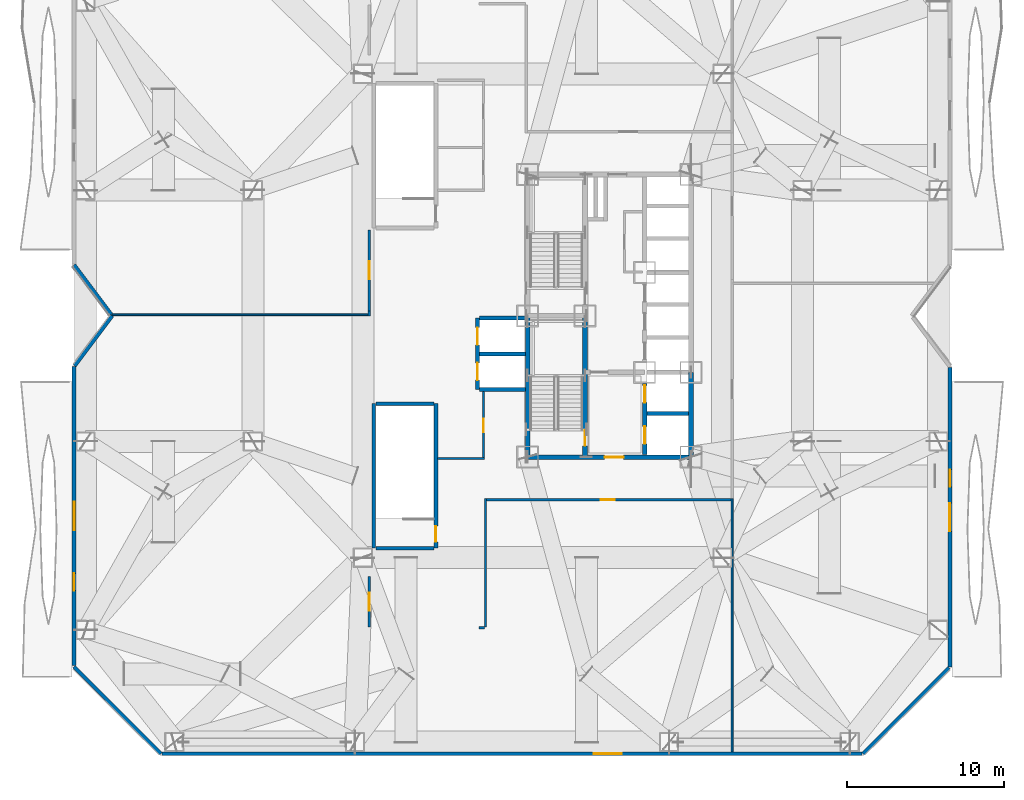
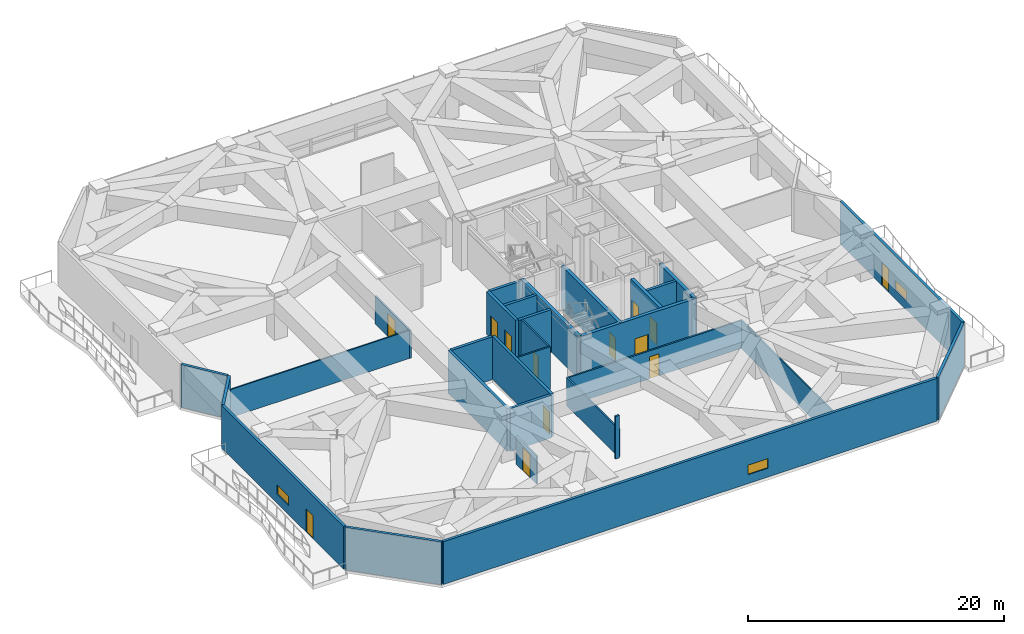
# One storey, part 20 of 27: 31 walls, 13 doors, 3 windows, 16 openings.
"""IFC4 building model written with IfcOpenShell, lengths in metres."""

import ifcopenshell
import ifcopenshell.guid

model = None  # the IFC model being written
_history = None  # IfcOwnerHistory: only IFC2X3 demands one
_inside = {}  # id of a spatial element -> (the spatial element, [elements in it])
_under = {}  # id of a project, library or spatial element -> (it, [spatial elements below it])
_declared = {}  # id of a project -> (the project, [libraries it declares])
_typed = {}  # id of a type object -> (the type object, [elements of that type])
_made_of = {}  # id of a material, layer set ... -> (it, [elements and type objects made of it])


def new_model(schema):
    """Start an empty IFC model of exactly this schema.

    Asked for "IFC4X3", IfcOpenShell would pick the latest addendum, in which some entities
    have other attributes; the version numbers below select the first issue.
    IFC2X3 requires an IfcOwnerHistory on every rooted entity: one is made here for all.
    """
    global model, _history
    if schema == "IFC4X3":
        model = ifcopenshell.file(schema_version=(4, 3, 0, 0))
    else:
        model = ifcopenshell.file(schema=schema)
    _inside.clear()
    _under.clear()
    _declared.clear()
    _typed.clear()
    _made_of.clear()
    _history = None
    if model.schema == "IFC2X3":
        org = make("IfcOrganization", Name="unknown")
        user = make(
            "IfcPersonAndOrganization",
            ThePerson=make("IfcPerson", FamilyName="unknown"),
            TheOrganization=org,
        )
        app = make(
            "IfcApplication",
            ApplicationDeveloper=org,
            Version="unknown",
            ApplicationFullName="unknown",
            ApplicationIdentifier="unknown",
        )
        _history = make(
            "IfcOwnerHistory",
            OwningUser=user,
            OwningApplication=app,
            ChangeAction="ADDED",
            CreationDate=0,
        )
    return model


def make(cls, **values):
    """One entity of the class cls with the attributes given. An attribute that is None is left unset."""
    return model.create_entity(
        cls, **{name: value for name, value in values.items() if value is not None}
    )


def rooted(cls, **values):
    """An entity with a GlobalId (a new one), such as an element, a storey or a relation."""
    return make(cls, GlobalId=ifcopenshell.guid.new(), OwnerHistory=_history, **values)


def si_unit(unit_type, name, prefix=None):
    """IfcSIUnit, for example si_unit("LENGTHUNIT", "METRE", prefix="MILLI")."""
    return make("IfcSIUnit", UnitType=unit_type, Prefix=prefix, Name=name)


def assignment(units):
    """IfcUnitAssignment: the units of a project."""
    return None if units is None else make("IfcUnitAssignment", Units=units)


def point(xyz):
    """IfcCartesianPoint."""
    return None if xyz is None else make("IfcCartesianPoint", Coordinates=xyz)


def direction(xyz):
    """IfcDirection."""
    return None if xyz is None else make("IfcDirection", DirectionRatios=xyz)


def frame(location, z_axis=None, x_axis=None):
    """IfcAxis2Placement3D, a coordinate frame: its origin and axes. An axis left out is left unset."""
    return make(
        "IfcAxis2Placement3D",
        Location=point(location),
        Axis=direction(z_axis),
        RefDirection=direction(x_axis),
    )


def frame_2d(location, x_axis=None):
    """IfcAxis2Placement2D, a coordinate frame in the plane: its origin and x axis."""
    return make(
        "IfcAxis2Placement2D", Location=point(location), RefDirection=direction(x_axis)
    )


def origin():
    """The frame at (0, 0, 0) with its axes left unset."""
    return frame((0.0, 0.0, 0.0))


def place(relative_to, where):
    """IfcLocalPlacement: puts the frame where relative to a parent placement (None: the world)."""
    return make(
        "IfcLocalPlacement", PlacementRelTo=relative_to, RelativePlacement=where
    )


def context(
    kind, dimensions, precision=None, world=None, true_north=None, identifier=None
):
    """IfcGeometricRepresentationContext, for example the 3D "Model" context."""
    return make(
        "IfcGeometricRepresentationContext",
        ContextIdentifier=identifier,
        ContextType=kind,
        CoordinateSpaceDimension=dimensions,
        Precision=precision,
        WorldCoordinateSystem=world,
        TrueNorth=true_north,
    )


def subcontext(parent, identifier, kind, view, scale=None):
    """IfcGeometricRepresentationSubContext, for example "Body" below "Model"."""
    return make(
        "IfcGeometricRepresentationSubContext",
        ContextIdentifier=identifier,
        ContextType=kind,
        ParentContext=parent,
        TargetScale=scale,
        TargetView=view,
    )


def project(units=None, contexts=None):
    """IfcProject with its units and contexts."""
    return rooted(
        "IfcProject",
        Name="project",
        RepresentationContexts=contexts,
        UnitsInContext=assignment(units),
    )


def spatial(cls, under=None, at=None, **own):
    """A site, building, storey or space (cls), placed at a placement, below another one or the project."""
    s = rooted(cls, ObjectPlacement=at, **own)
    if under is not None:
        _under.setdefault(under.id(), (under, []))[1].append(s)
    return s


def profile(cls, at=None, kind="AREA", **sizes):
    """A parametric profile (cls). Its sizes go by their IFC names, for example OverallWidth=200.0."""
    return make(cls, ProfileType=kind, Position=at, **sizes)


def rectangle(**sizes):
    """IfcRectangleProfileDef."""
    return profile("IfcRectangleProfileDef", **sizes)


def extrude(swept, where, along, depth):
    """IfcExtrudedAreaSolid: the profile swept, set in the frame where, extruded along a direction by depth."""
    return make(
        "IfcExtrudedAreaSolid",
        SweptArea=swept,
        Position=where,
        ExtrudedDirection=direction(along),
        Depth=depth,
    )


def shape(context_of_items, identifier, shape_type, items):
    """IfcShapeRepresentation: the items that make up one representation, for example the "Body"."""
    return make(
        "IfcShapeRepresentation",
        ContextOfItems=context_of_items,
        RepresentationIdentifier=identifier,
        RepresentationType=shape_type,
        Items=items,
    )


def material(Name=None, Category=None):
    """IfcMaterial."""
    return make("IfcMaterial", Name=Name, Category=Category)


def layer(
    of_material, thickness, ventilated=None, Name=None, Category=None, Priority=None
):
    """IfcMaterialLayer: one layer of a wall or slab, of a material (None: an air gap)."""
    return make(
        "IfcMaterialLayer",
        Material=of_material,
        LayerThickness=thickness,
        IsVentilated=ventilated,
        Name=Name,
        Category=Category,
        Priority=Priority,
    )


def layer_set(layers, Name=None):
    """IfcMaterialLayerSet."""
    return make("IfcMaterialLayerSet", MaterialLayers=layers, LayerSetName=Name)


def made_of(thing, what):
    """Note that an element or type object is made of a material, layer set ...; save() writes the relation."""
    if what is not None:
        _made_of.setdefault(what.id(), (what, []))[1].append(thing)
    return thing


def type_object(cls, material=None, **own):
    """A type object (cls), such as IfcWallType, which elements share."""
    return made_of(rooted(cls, **own), material)


def element(
    cls,
    number,
    at=None,
    inside=None,
    cuts=None,
    type_object=None,
    material=None,
    context=None,
    identifier="Body",
    shape_type=None,
    held_by="IfcProductDefinitionShape",
    body=None,
    shapes=None,
    **own,
):
    """One element of the class cls, such as IfcWall. Its Tag is "e" and its number.

    at: its placement. inside: the storey or other place that contains it. cuts: it is an
    opening in that element (IfcRelVoidsElement). A single representation is given by context,
    identifier, shape_type and body (its items); several are given by shapes. held_by: the class
    of the entity that holds the representations. save() writes the other relations.
    """
    e = rooted(cls, Tag="e%d" % number, ObjectPlacement=at, **own)
    if body is not None:
        shapes = [shape(context, identifier, shape_type, body)]
    if shapes is not None:
        e.Representation = make(held_by, Representations=shapes)
    if inside is not None:
        _inside.setdefault(inside.id(), (inside, []))[1].append(e)
    if cuts is not None:
        rooted(
            "IfcRelVoidsElement", RelatingBuildingElement=cuts, RelatedOpeningElement=e
        )
    if type_object is not None:
        _typed.setdefault(type_object.id(), (type_object, []))[1].append(e)
    return made_of(e, material)


def fill(opening, filler):
    """IfcRelFillsElement: the door or window that sits in an opening."""
    return rooted(
        "IfcRelFillsElement",
        RelatingOpeningElement=opening,
        RelatedBuildingElement=filler,
    )


def aggregate(whole, parts):
    """IfcRelAggregates: a whole, such as a stair, and the parts it consists of."""
    return rooted("IfcRelAggregates", RelatingObject=whole, RelatedObjects=parts)


def save(model, path):
    """Write the relations noted so far, then the file.

    IfcRelAggregates (storeys below a building ...), IfcRelContainedInSpatialStructure (elements
    in a storey), IfcRelDefinesByType, IfcRelAssociatesMaterial and IfcRelDeclares: one each for
    every whole, place, type object, material and project.
    """
    for whole, parts in _under.values():
        aggregate(whole, parts)
    for where, things in _inside.values():
        rooted(
            "IfcRelContainedInSpatialStructure",
            RelatedElements=things,
            RelatingStructure=where,
        )
    for kind, things in _typed.values():
        rooted("IfcRelDefinesByType", RelatedObjects=things, RelatingType=kind)
    for what, things in _made_of.values():
        rooted("IfcRelAssociatesMaterial", RelatedObjects=things, RelatingMaterial=what)
    for by, libraries in _declared.values():
        rooted("IfcRelDeclares", RelatingContext=by, RelatedDefinitions=libraries)
    model.write(path)


model = new_model("IFC4")

# Units and contexts
model_context = context("Model", 3, precision=1e-05, world=origin(), true_north=direction((0.0, 1.0)))
body_context = subcontext(model_context, "Body", "Model", "MODEL_VIEW")
ifc_project = project(units=[si_unit("LENGTHUNIT", "METRE"), si_unit("AREAUNIT", "SQUARE_METRE"), si_unit("VOLUMEUNIT", "CUBIC_METRE"), si_unit("PLANEANGLEUNIT", "RADIAN"), si_unit("MASSUNIT", "GRAM", prefix="KILO")], contexts=[model_context])

# Site, building, storey
site_placement = place(None, origin())
site = spatial("IfcSite", under=ifc_project, at=site_placement, CompositionType="ELEMENT")
building_placement = place(site_placement, origin())
building = spatial("IfcBuilding", under=site, at=building_placement, Name="Khamvora Tower", CompositionType="ELEMENT")
storey_placement = place(building_placement, frame((0.0, 0.0, 28.800048828125)))
storey = spatial("IfcBuildingStorey", under=building, at=storey_placement, Name="L06", CompositionType="ELEMENT", Elevation=28.800048828125)

# Wall
ifc_material_1 = material(Name="Concrete C50/60", Category="concrete")
ifc_layer_1 = layer(ifc_material_1, 0.300048828125)
ifc_layer_set_1 = layer_set([ifc_layer_1], Name="Concrete C50/60")
wall_type_1 = type_object("IfcWallType", Name="WAL-CORE-300", PredefinedType="SHEAR", material=ifc_layer_set_1)
wall_1_placement = place(storey_placement, frame((29.0, 19.0, 0.0), z_axis=(0.0, 0.0, 1.0), x_axis=(0.0, 1.0, 0.0)))
element("IfcWall", 1, at=wall_1_placement, inside=storey, type_object=wall_type_1, Name="L06 central core west south wall", PredefinedType="SHEAR", context=body_context, shape_type="SweptSolid", body=[
    extrude(rectangle(XDim=9.0, YDim=0.300048828125, at=frame_2d((4.5, 0.0))), origin(), (0.0, 0.0, 1.0), 4.079833984375),
])

# Wall, opening, door
wall_2_placement = place(storey_placement, frame((29.0, 19.0, 0.0), z_axis=(0.0, 0.0, 1.0), x_axis=(1.0, 0.0, 0.0)))
wall_2 = element("IfcWall", 2, at=wall_2_placement, inside=storey, type_object=wall_type_1, Name="L06 central core south wall", PredefinedType="SHEAR", context=body_context, shape_type="SweptSolid", body=[
    extrude(rectangle(XDim=10.39990234375, YDim=0.300048828125, at=frame_2d((5.199951171875, 0.0))), origin(), (0.0, 0.0, 1.0), 4.079833984375),
])
opening_1_placement = place(wall_2_placement, frame((4.89990234375, 0.0, 0.0)))
opening_1 = element("IfcOpeningElement", 3, at=opening_1_placement, cuts=wall_2, Name="Opening D-CR1", PredefinedType="OPENING", context=body_context, shape_type="SweptSolid", body=[
    extrude(rectangle(XDim=1.199951171875, YDim=2.14990234375, at=frame_2d((0.60009765625, 1.074951171875))), frame((0.0, 0.159912109375, 0.0), z_axis=(0.0, -1.0, 0.0), x_axis=(1.0, 0.0, 0.0)), (0.0, 0.0, 1.0), 0.320068359375),
])
ifc_material_2 = material(Name="Powder-Coated Steel and Hardwood Leaf", Category="steel")
door_type_1 = type_object("IfcDoorType", Name="DOR-CORR-1200", OperationType="NOTDEFINED", PredefinedType="DOOR", material=ifc_material_2)
door_1_placement = place(opening_1_placement, origin())
door_1 = element("IfcDoor", 4, at=door_1_placement, inside=storey, type_object=door_type_1, Name="L06 south core lobby to corridor fire door", OperationType="SINGLE_SWING_RIGHT", OverallHeight=2.14990234375, OverallWidth=1.199951171875, PredefinedType="DOOR", context=body_context, shape_type="SweptSolid", body=[
    extrude(rectangle(XDim=1.199951171875, YDim=2.14990234375, at=frame_2d((0.60009765625, 1.074951171875))), frame((0.0, 0.02490234375, 0.0), z_axis=(0.0, -1.0, 0.0), x_axis=(1.0, 0.0, 0.0)), (0.0, 0.0, 1.0), 0.050048828125),
])
fill(opening_1, door_1)

# Wall
wall_3_placement = place(storey_placement, frame((39.39990234375, 19.0, 0.0), z_axis=(0.0, 0.0, 1.0), x_axis=(0.0, 1.0, 0.0)))
element("IfcWall", 5, at=wall_3_placement, inside=storey, type_object=wall_type_1, Name="L06 central core east south wall", PredefinedType="SHEAR", context=body_context, shape_type="SweptSolid", body=[
    extrude(rectangle(XDim=5.39990234375, YDim=0.300048828125, at=frame_2d((2.699951171875, 0.0))), origin(), (0.0, 0.0, 1.0), 4.079833984375),
])

# Wall, opening, door
wall_4_placement = place(storey_placement, frame((32.64990234375, 19.0, 0.0), z_axis=(0.0, 0.0, 1.0), x_axis=(0.0, 1.0, 0.0)))
wall_4 = element("IfcWall", 6, at=wall_4_placement, inside=storey, type_object=wall_type_1, Name="L06 central core stair south spine wall", PredefinedType="SHEAR", context=body_context, shape_type="SweptSolid", body=[
    extrude(rectangle(XDim=9.0, YDim=0.300048828125, at=frame_2d((4.5, 0.0))), origin(), (0.0, 0.0, 1.0), 4.079833984375),
])
opening_2_placement = place(wall_4_placement, frame((0.719970703125, 0.0, 0.0)))
opening_2 = element("IfcOpeningElement", 7, at=opening_2_placement, cuts=wall_4, Name="Opening D-ST1", PredefinedType="OPENING", context=body_context, shape_type="SweptSolid", body=[
    extrude(rectangle(XDim=1.0, YDim=2.14990234375, at=frame_2d((0.5, 1.074951171875))), frame((0.0, 0.159912109375, 0.0), z_axis=(0.0, -1.0, 0.0), x_axis=(1.0, 0.0, 0.0)), (0.0, 0.0, 1.0), 0.320068359375),
])
door_type_2 = type_object("IfcDoorType", Name="DOR-STAIR-1000", OperationType="NOTDEFINED", PredefinedType="DOOR", material=ifc_material_2)
door_2_placement = place(opening_2_placement, origin())
door_2 = element("IfcDoor", 8, at=door_2_placement, inside=storey, type_object=door_type_2, Name="L06 exit stair ST-01 fire door", OperationType="SINGLE_SWING_RIGHT", OverallHeight=2.14990234375, OverallWidth=1.0, PredefinedType="DOOR", context=body_context, shape_type="SweptSolid", body=[
    extrude(rectangle(XDim=1.0, YDim=2.14990234375, at=frame_2d((0.5, 1.074951171875))), frame((0.0, 0.02490234375, 0.0), z_axis=(0.0, -1.0, 0.0), x_axis=(1.0, 0.0, 0.0)), (0.0, 0.0, 1.0), 0.050048828125),
])
fill(opening_2, door_2)

# Wall, openings, doors
wall_5_placement = place(storey_placement, frame((36.449951171875, 19.154052734375, 0.0), z_axis=(0.0, 0.0, 1.0), x_axis=(0.0, 1.0, 0.0)))
wall_5 = element("IfcWall", 9, at=wall_5_placement, inside=storey, type_object=wall_type_1, Name="L06 central core lift bank south wall", PredefinedType="SHEAR", context=body_context, shape_type="SweptSolid", body=[
    extrude(rectangle(XDim=4.5458984375, YDim=0.300048828125, at=frame_2d((2.27294921875, 0.0))), origin(), (0.0, 0.0, 1.0), 4.079833984375),
])
opening_3_placement = place(wall_5_placement, frame((0.696044921875, 0.0, 0.0)))
opening_3 = element("IfcOpeningElement", 10, at=opening_3_placement, cuts=wall_5, Name="Opening LD-FFL", PredefinedType="OPENING", context=body_context, shape_type="SweptSolid", body=[
    extrude(rectangle(XDim=1.10009765625, YDim=2.14990234375, at=frame_2d((0.550048828125, 1.074951171875))), frame((0.0, 0.159912109375, 0.0), z_axis=(0.0, -1.0, 0.0), x_axis=(1.0, 0.0, 0.0)), (0.0, 0.0, 1.0), 0.320068359375),
])
opening_4_placement = place(wall_5_placement, frame((3.31591796875, 0.0, 0.0)))
opening_4 = element("IfcOpeningElement", 11, at=opening_4_placement, cuts=wall_5, Name="Opening LD-FFL", PredefinedType="OPENING", context=body_context, shape_type="SweptSolid", body=[
    extrude(rectangle(XDim=1.10009765625, YDim=2.14990234375, at=frame_2d((0.550048828125, 1.074951171875))), frame((0.0, 0.159912109375, 0.0), z_axis=(0.0, -1.0, 0.0), x_axis=(1.0, 0.0, 0.0)), (0.0, 0.0, 1.0), 0.320068359375),
])
door_type_3 = type_object("IfcDoorType", Name="DOR-LIFT-1100", OperationType="SLIDING_TO_LEFT", PredefinedType="DOOR", material=ifc_material_2)
door_3_placement = place(opening_3_placement, origin())
door_3 = element("IfcDoor", 12, at=door_3_placement, inside=storey, type_object=door_type_3, Name="L06 lift landing sliding door FFL-01", OperationType="SLIDING_TO_LEFT", OverallHeight=2.14990234375, OverallWidth=1.10009765625, PredefinedType="DOOR", context=body_context, shape_type="SweptSolid", body=[
    extrude(rectangle(XDim=1.10009765625, YDim=2.14990234375, at=frame_2d((0.550048828125, 1.074951171875))), frame((0.0, 0.02490234375, 0.0), z_axis=(0.0, -1.0, 0.0), x_axis=(1.0, 0.0, 0.0)), (0.0, 0.0, 1.0), 0.050048828125),
])
fill(opening_3, door_3)
door_4_placement = place(opening_4_placement, origin())
door_4 = element("IfcDoor", 13, at=door_4_placement, inside=storey, type_object=door_type_3, Name="L06 lift landing sliding door FFL-02", OperationType="SLIDING_TO_LEFT", OverallHeight=2.14990234375, OverallWidth=1.10009765625, PredefinedType="DOOR", context=body_context, shape_type="SweptSolid", body=[
    extrude(rectangle(XDim=1.10009765625, YDim=2.14990234375, at=frame_2d((0.550048828125, 1.074951171875))), frame((0.0, 0.02490234375, 0.0), z_axis=(0.0, -1.0, 0.0), x_axis=(1.0, 0.0, 0.0)), (0.0, 0.0, 1.0), 0.050048828125),
])
fill(opening_4, door_4)

# Wall
ifc_material_3 = material(Name="Fire-Rated Drywall and Steel Stud", Category="steel")
ifc_layer_2 = layer(ifc_material_3, 0.14990234375)
ifc_layer_set_2 = layer_set([ifc_layer_2], Name="Fire-Rated Drywall and Steel Stud")
wall_type_2 = type_object("IfcWallType", Name="WAL-CORR-150", PredefinedType="STANDARD", material=ifc_layer_set_2)
wall_6_placement = place(storey_placement, frame((23.26708984375, 18.9150390625, 0.0), z_axis=(0.0, 0.0, 1.0), x_axis=(1.0, 0.0, 0.0)))
element("IfcWall", 14, at=wall_6_placement, inside=storey, type_object=wall_type_2, Name="L06 interior partition wall 004", PredefinedType="STANDARD", context=body_context, shape_type="SweptSolid", body=[
    extrude(rectangle(XDim=2.98291015625, YDim=0.14990234375, at=frame_2d((1.491455078125, 0.0))), origin(), (0.0, 0.0, 1.0), 4.079833984375),
])

# Wall, opening, door
wall_7_placement = place(storey_placement, frame((26.18505859375, 18.85205078125, 0.0), z_axis=(0.0, 0.0, 1.0), x_axis=(0.0, 1.0, 0.0)))
wall_7 = element("IfcWall", 15, at=wall_7_placement, inside=storey, type_object=wall_type_2, Name="L06 interior partition wall 005", PredefinedType="STANDARD", context=body_context, shape_type="SweptSolid", body=[
    extrude(rectangle(XDim=4.3310546875, YDim=0.14990234375, at=frame_2d((2.16552734375, 0.0))), origin(), (0.0, 0.0, 1.0), 4.079833984375),
])
opening_5_placement = place(wall_7_placement, frame((1.740966796875, 0.0, 0.0)))
opening_5 = element("IfcOpeningElement", 16, at=opening_5_placement, cuts=wall_7, Name="Opening D-WC1", PredefinedType="OPENING", context=body_context, shape_type="SweptSolid", body=[
    extrude(rectangle(XDim=0.85009765625, YDim=2.10009765625, at=frame_2d((0.425048828125, 1.050048828125))), frame((0.0, 0.0849609375, 0.0), z_axis=(0.0, -1.0, 0.0), x_axis=(1.0, 0.0, 0.0)), (0.0, 0.0, 1.0), 0.169921875),
])
door_type_4 = type_object("IfcDoorType", Name="DOR-WET-850", OperationType="NOTDEFINED", PredefinedType="DOOR", material=ifc_material_2)
door_5_placement = place(opening_5_placement, origin())
door_5 = element("IfcDoor", 17, at=door_5_placement, inside=storey, type_object=door_type_4, Name="L06 interior door SCOR-WCM", OperationType="SINGLE_SWING_LEFT", OverallHeight=2.10009765625, OverallWidth=0.85009765625, PredefinedType="DOOR", context=body_context, shape_type="SweptSolid", body=[
    extrude(rectangle(XDim=0.85009765625, YDim=2.10009765625, at=frame_2d((0.425048828125, 1.050048828125))), frame((0.0, 0.02490234375, 0.0), z_axis=(0.0, -1.0, 0.0), x_axis=(1.0, 0.0, 0.0)), (0.0, 0.0, 1.0), 0.050048828125),
])
fill(opening_5, door_5)

# Wall
wall_8_placement = place(storey_placement, frame((18.9150390625, 28.0, 0.0), z_axis=(0.0, 0.0, 1.0), x_axis=(0.0, 1.0, 0.0)))
element("IfcWall", 18, at=wall_8_placement, inside=storey, type_object=wall_type_2, Name="L06 interior partition wall 010", PredefinedType="STANDARD", context=body_context, shape_type="SweptSolid", body=[
    extrude(rectangle(XDim=0.318115234375, YDim=0.14990234375, at=frame_2d((0.1591796875, 0.0))), origin(), (0.0, 0.0, 1.0), 2.669921875),
])

# Wall, opening, door
wall_9_placement = place(storey_placement, frame((18.9150390625, 8.199951171875, 0.0), z_axis=(0.0, 0.0, 1.0), x_axis=(0.0, 1.0, 0.0)))
wall_9 = element("IfcWall", 19, at=wall_9_placement, inside=storey, type_object=wall_type_2, Name="L06 interior partition wall 011", PredefinedType="STANDARD", context=body_context, shape_type="SweptSolid", body=[
    extrude(rectangle(XDim=3.199951171875, YDim=0.14990234375, at=frame_2d((1.60009765625, 0.0))), origin(), (0.0, 0.0, 1.0), 2.669921875),
])
opening_6_placement = place(wall_9_placement, frame((1.02490234375, 0.0, 0.0)))
opening_6 = element("IfcOpeningElement", 20, at=opening_6_placement, cuts=wall_9, Name="Opening D-SC1", PredefinedType="OPENING", context=body_context, shape_type="SweptSolid", body=[
    extrude(rectangle(XDim=1.14990234375, YDim=2.199951171875, at=frame_2d((0.574951171875, 1.10009765625))), frame((0.0, 0.0849609375, 0.0), z_axis=(0.0, -1.0, 0.0), x_axis=(1.0, 0.0, 0.0)), (0.0, 0.0, 1.0), 0.169921875),
])
door_type_5 = type_object("IfcDoorType", Name="DOR-SCHL-1150", OperationType="NOTDEFINED", PredefinedType="DOOR", material=ifc_material_2)
door_6_placement = place(opening_6_placement, origin())
door_6 = element("IfcDoor", 21, at=door_6_placement, inside=storey, type_object=door_type_5, Name="L06 interior door SCOR-BLK", OperationType="SINGLE_SWING_RIGHT", OverallHeight=2.199951171875, OverallWidth=1.14990234375, PredefinedType="DOOR", context=body_context, shape_type="SweptSolid", body=[
    extrude(rectangle(XDim=1.14990234375, YDim=2.199951171875, at=frame_2d((0.574951171875, 1.10009765625))), frame((0.0, 0.02490234375, 0.0), z_axis=(0.0, -1.0, 0.0), x_axis=(1.0, 0.0, 0.0)), (0.0, 0.0, 1.0), 0.050048828125),
])
fill(opening_6, door_6)

wall_10_placement = place(storey_placement, frame((18.9150390625, 28.318115234375, 0.0), z_axis=(0.0, 0.0, 1.0), x_axis=(0.0, 1.0, 0.0)))
wall_10 = element("IfcWall", 22, at=wall_10_placement, inside=storey, type_object=wall_type_2, Name="L06 interior partition wall 012", PredefinedType="STANDARD", context=body_context, shape_type="SweptSolid", body=[
    extrude(rectangle(XDim=5.1318359375, YDim=0.14990234375, at=frame_2d((2.56591796875, 0.0))), origin(), (0.0, 0.0, 1.0), 2.669921875),
])
opening_7_placement = place(wall_10_placement, frame((1.990966796875, 0.0, 0.0)))
opening_7 = element("IfcOpeningElement", 23, at=opening_7_placement, cuts=wall_10, Name="Opening D-SC1", PredefinedType="OPENING", context=body_context, shape_type="SweptSolid", body=[
    extrude(rectangle(XDim=1.14990234375, YDim=2.199951171875, at=frame_2d((0.574951171875, 1.10009765625))), frame((0.0, 0.0849609375, 0.0), z_axis=(0.0, -1.0, 0.0), x_axis=(1.0, 0.0, 0.0)), (0.0, 0.0, 1.0), 0.169921875),
])
door_7_placement = place(opening_7_placement, origin())
door_7 = element("IfcDoor", 24, at=door_7_placement, inside=storey, type_object=door_type_5, Name="L06 interior door SCOR-ORC", OperationType="SINGLE_SWING_LEFT", OverallHeight=2.199951171875, OverallWidth=1.14990234375, PredefinedType="DOOR", context=body_context, shape_type="SweptSolid", body=[
    extrude(rectangle(XDim=1.14990234375, YDim=2.199951171875, at=frame_2d((0.574951171875, 1.10009765625))), frame((0.0, 0.02490234375, 0.0), z_axis=(0.0, -1.0, 0.0), x_axis=(1.0, 0.0, 0.0)), (0.0, 0.0, 1.0), 0.050048828125),
])
fill(opening_7, door_7)

wall_11_placement = place(storey_placement, frame((41.949951171875, 16.284912109375, 0.0), z_axis=(0.0, 0.0, 1.0), x_axis=(-1.0, 0.0, 0.0)))
wall_11 = element("IfcWall", 25, at=wall_11_placement, inside=storey, type_object=wall_type_2, Name="L06 interior partition wall 016", PredefinedType="STANDARD", context=body_context, shape_type="SweptSolid", body=[
    extrude(rectangle(XDim=15.699951171875, YDim=0.14990234375, at=frame_2d((7.85009765625, 0.0))), origin(), (0.0, 0.0, 1.0), 2.669921875),
])
opening_8_placement = place(wall_11_placement, frame((7.39990234375, 0.0, 0.0)))
opening_8 = element("IfcOpeningElement", 26, at=opening_8_placement, cuts=wall_11, Name="Opening D-RM1", PredefinedType="OPENING", context=body_context, shape_type="SweptSolid", body=[
    extrude(rectangle(XDim=0.89990234375, YDim=2.10009765625, at=frame_2d((0.449951171875, 1.050048828125))), frame((0.0, 0.0849609375, 0.0), z_axis=(0.0, -1.0, 0.0), x_axis=(1.0, 0.0, 0.0)), (0.0, 0.0, 1.0), 0.169921875),
])
door_type_6 = type_object("IfcDoorType", Name="DOR-ROOM-900", OperationType="NOTDEFINED", PredefinedType="DOOR", material=ifc_material_2)
door_8_placement = place(opening_8_placement, origin())
door_8 = element("IfcDoor", 27, at=door_8_placement, inside=storey, type_object=door_type_6, Name="L06 interior door SCOR-BRD", OperationType="SINGLE_SWING_RIGHT", OverallHeight=2.10009765625, OverallWidth=0.89990234375, PredefinedType="DOOR", context=body_context, shape_type="SweptSolid", body=[
    extrude(rectangle(XDim=0.89990234375, YDim=2.10009765625, at=frame_2d((0.449951171875, 1.050048828125))), frame((0.0, 0.02490234375, 0.0), z_axis=(0.0, -1.0, 0.0), x_axis=(1.0, 0.0, 0.0)), (0.0, 0.0, 1.0), 0.050048828125),
])
fill(opening_8, door_8)

# Walls
wall_12_placement = place(storey_placement, frame((26.31494140625, 16.35009765625, 0.0), z_axis=(0.0, 0.0, 1.0), x_axis=(0.0, -1.0, 0.0)))
element("IfcWall", 28, at=wall_12_placement, inside=storey, type_object=wall_type_2, Name="L06 interior partition wall 017", PredefinedType="STANDARD", context=body_context, shape_type="SweptSolid", body=[
    extrude(rectangle(XDim=8.150146484375, YDim=0.14990234375, at=frame_2d((4.0751953125, 0.0))), origin(), (0.0, 0.0, 1.0), 2.669921875),
])
wall_13_placement = place(storey_placement, frame((26.25, 8.135009765625, 0.0), z_axis=(0.0, 0.0, 1.0), x_axis=(-1.0, 0.0, 0.0)))
element("IfcWall", 29, at=wall_13_placement, inside=storey, type_object=wall_type_2, Name="L06 interior partition wall 018", PredefinedType="STANDARD", context=body_context, shape_type="SweptSolid", body=[
    extrude(rectangle(XDim=0.339111328125, YDim=0.14990234375, at=frame_2d((0.16943359375, 0.0))), origin(), (0.0, 0.0, 1.0), 4.079833984375),
])
ifc_material_4 = material(Name="Precast concrete C40/50", Category="concrete")
ifc_layer_3 = layer(ifc_material_4, 0.239990234375)
ifc_layer_set_3 = layer_set([ifc_layer_3], Name="Precast concrete C40/50")
wall_type_3 = type_object("IfcWallType", Name="WAL-EXT-240", PredefinedType="STANDARD", material=ifc_layer_set_3)
wall_14_placement = place(storey_placement, frame((5.64990234375, 0.1201171875, 0.0), z_axis=(0.0, 0.0, 1.0), x_axis=(-0.707106781187, 0.707106781187, 0.0)))
element("IfcWall", 30, at=wall_14_placement, inside=storey, type_object=wall_type_3, Name="L06 exterior facade wall 01.1", PredefinedType="STANDARD", context=body_context, shape_type="SweptSolid", body=[
    extrude(rectangle(XDim=7.8203125, YDim=0.239990234375, at=frame_2d((3.91015625, 0.0))), origin(), (0.0, 0.0, 1.0), 4.079833984375),
])

# Wall, openings, door, window
wall_15_placement = place(storey_placement, frame((0.1201171875, 5.72802734375, 0.0), z_axis=(0.0, 0.0, 1.0), x_axis=(0.0, 1.0, 0.0)))
wall_15 = element("IfcWall", 31, at=wall_15_placement, inside=storey, type_object=wall_type_3, Name="L06 exterior facade wall 02.1", PredefinedType="STANDARD", context=body_context, shape_type="SweptSolid", body=[
    extrude(rectangle(XDim=19.031982421875, YDim=0.239990234375, at=frame_2d((9.51611328125, 0.0))), origin(), (0.0, 0.0, 1.0), 4.079833984375),
])
opening_9_placement = place(wall_15_placement, frame((4.77587890625, 0.0, 0.0)))
opening_9 = element("IfcOpeningElement", 32, at=opening_9_placement, cuts=wall_15, Name="Opening BD-01", PredefinedType="OPENING", context=body_context, shape_type="SweptSolid", body=[
    extrude(rectangle(XDim=1.10009765625, YDim=2.199951171875, at=frame_2d((0.550048828125, 1.10009765625))), frame((0.0, 0.1298828125, 0.0), z_axis=(0.0, -1.0, 0.0), x_axis=(1.0, 0.0, 0.0)), (0.0, 0.0, 1.0), 0.260009765625),
])
opening_10_placement = place(wall_15_placement, frame((8.615966796875, 0.0, 0.85009765625)))
opening_10 = element("IfcOpeningElement", 33, at=opening_10_placement, cuts=wall_15, Name="Opening WN-09", PredefinedType="OPENING", context=body_context, shape_type="SweptSolid", body=[
    extrude(rectangle(XDim=1.800048828125, YDim=0.919921875, at=frame_2d((0.89990234375, 0.4599609375))), frame((0.0, 0.1298828125, 0.0), z_axis=(0.0, -1.0, 0.0), x_axis=(1.0, 0.0, 0.0)), (0.0, 0.0, 1.0), 0.260009765625),
])
ifc_material_5 = material(Name="Anodised Aluminium and Laminated Safety Glass", Category="aluminium")
door_type_7 = type_object("IfcDoorType", Name="DOR-BAL-1100", OperationType="NOTDEFINED", PredefinedType="DOOR", material=ifc_material_5)
door_9_placement = place(opening_9_placement, origin())
door_9 = element("IfcDoor", 34, at=door_9_placement, inside=storey, type_object=door_type_7, Name="L06 lens gallery balcony door WL1", OperationType="SLIDING_TO_LEFT", OverallHeight=2.199951171875, OverallWidth=1.10009765625, PredefinedType="DOOR", context=body_context, shape_type="SweptSolid", body=[
    extrude(rectangle(XDim=1.10009765625, YDim=2.199951171875, at=frame_2d((0.550048828125, 1.10009765625))), frame((0.0, 0.02490234375, 0.0), z_axis=(0.0, -1.0, 0.0), x_axis=(1.0, 0.0, 0.0)), (0.0, 0.0, 1.0), 0.050048828125),
])
fill(opening_9, door_9)
ifc_material_6 = material(Name="Low-E Laminated Double Glazing", Category="glass")
window_type = type_object("IfcWindowType", Name="WIN-CLR-1800x920", PartitioningType="SINGLE_PANEL", PredefinedType="WINDOW", material=ifc_material_6)
window_1_placement = place(opening_10_placement, origin())
window_1 = element("IfcWindow", 35, at=window_1_placement, inside=storey, type_object=window_type, Name="L06 vision window 02.1.01", OverallHeight=0.919921875, OverallWidth=1.800048828125, PartitioningType="SINGLE_PANEL", PredefinedType="WINDOW", context=body_context, shape_type="SweptSolid", body=[
    extrude(rectangle(XDim=1.800048828125, YDim=0.919921875, at=frame_2d((0.89990234375, 0.4599609375))), frame((0.0, 0.030029296875, 0.0), z_axis=(0.0, -1.0, 0.0), x_axis=(1.0, 0.0, 0.0)), (0.0, 0.0, 1.0), 0.06005859375),
])
fill(opening_10, window_1)

# Walls
wall_16_placement = place(storey_placement, frame((0.157958984375, 24.81103515625, 0.0), z_axis=(0.0, 0.0, 1.0), x_axis=(0.600058791648, 0.799955902889, 0.0)))
element("IfcWall", 36, at=wall_16_placement, inside=storey, type_object=wall_type_3, Name="L06 exterior facade wall 03.1", PredefinedType="STANDARD", context=body_context, shape_type="SweptSolid", body=[
    extrude(rectangle(XDim=3.986328125, YDim=0.239990234375, at=frame_2d((1.9931640625, 0.0))), origin(), (0.0, 0.0, 1.0), 4.079833984375),
])
wall_17_placement = place(storey_placement, frame((2.487060546875, 28.083984375, 0.0), z_axis=(0.0, 0.0, 1.0), x_axis=(-0.599990098106, 0.800007426325, 0.0)))
element("IfcWall", 37, at=wall_17_placement, inside=storey, type_object=wall_type_3, Name="L06 exterior facade wall 04.1", PredefinedType="STANDARD", context=body_context, shape_type="SweptSolid", body=[
    extrude(rectangle(XDim=3.945068359375, YDim=0.239990234375, at=frame_2d((1.97265625, 0.0))), origin(), (0.0, 0.0, 1.0), 4.079833984375),
])

# Wall, openings, door, window
wall_18_placement = place(storey_placement, frame((55.8798828125, 24.697998046875, 0.0), z_axis=(0.0, 0.0, 1.0), x_axis=(0.0, -1.0, 0.0)))
wall_18 = element("IfcWall", 38, at=wall_18_placement, inside=storey, type_object=wall_type_3, Name="L06 exterior facade wall 12.1", PredefinedType="STANDARD", context=body_context, shape_type="SweptSolid", body=[
    extrude(rectangle(XDim=19.048095703125, YDim=0.239990234375, at=frame_2d((9.52392578125, 0.0))), origin(), (0.0, 0.0, 1.0), 4.079833984375),
])
opening_11_placement = place(wall_18_placement, frame((6.493896484375, 0.0, 0.0)))
opening_11 = element("IfcOpeningElement", 39, at=opening_11_placement, cuts=wall_18, Name="Opening BD-01", PredefinedType="OPENING", context=body_context, shape_type="SweptSolid", body=[
    extrude(rectangle(XDim=1.10009765625, YDim=2.199951171875, at=frame_2d((0.550048828125, 1.10009765625))), frame((0.0, 0.1298828125, 0.0), z_axis=(0.0, -1.0, 0.0), x_axis=(1.0, 0.0, 0.0)), (0.0, 0.0, 1.0), 0.260009765625),
])
opening_12_placement = place(wall_18_placement, frame((8.6240234375, 0.0, 0.85009765625)))
opening_12 = element("IfcOpeningElement", 40, at=opening_12_placement, cuts=wall_18, Name="Opening WN-09", PredefinedType="OPENING", context=body_context, shape_type="SweptSolid", body=[
    extrude(rectangle(XDim=1.800048828125, YDim=0.919921875, at=frame_2d((0.89990234375, 0.4599609375))), frame((0.0, 0.1298828125, 0.0), z_axis=(0.0, -1.0, 0.0), x_axis=(1.0, 0.0, 0.0)), (0.0, 0.0, 1.0), 0.260009765625),
])
door_10_placement = place(opening_11_placement, origin())
door_10 = element("IfcDoor", 41, at=door_10_placement, inside=storey, type_object=door_type_7, Name="L06 lens gallery balcony door EL1", OperationType="SLIDING_TO_LEFT", OverallHeight=2.199951171875, OverallWidth=1.10009765625, PredefinedType="DOOR", context=body_context, shape_type="SweptSolid", body=[
    extrude(rectangle(XDim=1.10009765625, YDim=2.199951171875, at=frame_2d((0.550048828125, 1.10009765625))), frame((0.0, 0.02490234375, 0.0), z_axis=(0.0, -1.0, 0.0), x_axis=(1.0, 0.0, 0.0)), (0.0, 0.0, 1.0), 0.050048828125),
])
fill(opening_11, door_10)
window_2_placement = place(opening_12_placement, origin())
window_2 = element("IfcWindow", 42, at=window_2_placement, inside=storey, type_object=window_type, Name="L06 vision window 12.1.01", OverallHeight=0.919921875, OverallWidth=1.800048828125, PartitioningType="SINGLE_PANEL", PredefinedType="WINDOW", context=body_context, shape_type="SweptSolid", body=[
    extrude(rectangle(XDim=1.800048828125, YDim=0.919921875, at=frame_2d((0.89990234375, 0.4599609375))), frame((0.0, 0.030029296875, 0.0), z_axis=(0.0, -1.0, 0.0), x_axis=(1.0, 0.0, 0.0)), (0.0, 0.0, 1.0), 0.06005859375),
])
fill(opening_12, window_2)

# Wall
wall_19_placement = place(storey_placement, frame((55.825927734375, 5.595947265625, 0.0), z_axis=(0.0, 0.0, 1.0), x_axis=(-0.707106781187, -0.707106781187, 0.0)))
element("IfcWall", 43, at=wall_19_placement, inside=storey, type_object=wall_type_3, Name="L06 exterior facade wall 13.1", PredefinedType="STANDARD", context=body_context, shape_type="SweptSolid", body=[
    extrude(rectangle(XDim=7.743896484375, YDim=0.239990234375, at=frame_2d((3.8720703125, 0.0))), origin(), (0.0, 0.0, 1.0), 4.079833984375),
])

# Wall, opening, window
wall_20_placement = place(storey_placement, frame((50.27490234375, 0.1201171875, 0.0), z_axis=(0.0, 0.0, 1.0), x_axis=(-1.0, 0.0, 0.0)))
wall_20 = element("IfcWall", 44, at=wall_20_placement, inside=storey, type_object=wall_type_3, Name="L06 exterior facade wall 14.1", PredefinedType="STANDARD", context=body_context, shape_type="SweptSolid", body=[
    extrude(rectangle(XDim=44.5498046875, YDim=0.239990234375, at=frame_2d((22.27490234375, 0.0))), origin(), (0.0, 0.0, 1.0), 4.079833984375),
])
opening_13_placement = place(wall_20_placement, frame((15.27490234375, 0.0, 0.85009765625)))
opening_13 = element("IfcOpeningElement", 45, at=opening_13_placement, cuts=wall_20, Name="Opening WN-09", PredefinedType="OPENING", context=body_context, shape_type="SweptSolid", body=[
    extrude(rectangle(XDim=1.800048828125, YDim=0.919921875, at=frame_2d((0.89990234375, 0.4599609375))), frame((0.0, 0.1298828125, 0.0), z_axis=(0.0, -1.0, 0.0), x_axis=(1.0, 0.0, 0.0)), (0.0, 0.0, 1.0), 0.260009765625),
])
window_3_placement = place(opening_13_placement, origin())
window_3 = element("IfcWindow", 46, at=window_3_placement, inside=storey, type_object=window_type, Name="L06 vision window 14.1.01", OverallHeight=0.919921875, OverallWidth=1.800048828125, PartitioningType="SINGLE_PANEL", PredefinedType="WINDOW", context=body_context, shape_type="SweptSolid", body=[
    extrude(rectangle(XDim=1.800048828125, YDim=0.919921875, at=frame_2d((0.89990234375, 0.4599609375))), frame((0.0, 0.030029296875, 0.0), z_axis=(0.0, -1.0, 0.0), x_axis=(1.0, 0.0, 0.0)), (0.0, 0.0, 1.0), 0.06005859375),
])
fill(opening_13, window_3)

# Walls
ifc_material_7 = material(Name="Gypsum Plasterboard Partition", Category="gypsum")
ifc_layer_4 = layer(ifc_material_7, 0.1201171875)
ifc_layer_set_4 = layer_set([ifc_layer_4], Name="Gypsum Plasterboard Partition")
wall_type_4 = type_object("IfcWallType", Name="WAL-PART-120", PredefinedType="PARTITIONING", material=ifc_layer_set_4)
wall_21_placement = place(storey_placement, frame((2.530029296875, 28.06494140625, 0.0), z_axis=(0.0, 0.0, 1.0), x_axis=(1.0, 0.0, 0.0)))
element("IfcWall", 47, at=wall_21_placement, inside=storey, type_object=wall_type_4, Name="L06 interior partition wall 023", PredefinedType="PARTITIONING", context=body_context, shape_type="SweptSolid", body=[
    extrude(rectangle(XDim=16.31787109375, YDim=0.1201171875, at=frame_2d((8.158935546875, 0.0))), origin(), (0.0, 0.0, 1.0), 2.669921875),
])
wall_22_placement = place(storey_placement, frame((42.014892578125, 0.23193359375, 0.0), z_axis=(0.0, 0.0, 1.0), x_axis=(0.0, 1.0, 0.0)))
element("IfcWall", 48, at=wall_22_placement, inside=storey, type_object=wall_type_4, Name="L06 interior partition wall 025", PredefinedType="PARTITIONING", context=body_context, shape_type="SweptSolid", body=[
    extrude(rectangle(XDim=16.1181640625, YDim=0.1201171875, at=frame_2d((8.05908203125, 0.0))), origin(), (0.0, 0.0, 1.0), 2.669921875),
])
ifc_material_8 = material(Name="Concrete C40/50", Category="concrete")
ifc_layer_5 = layer(ifc_material_8, 0.25)
ifc_layer_set_5 = layer_set([ifc_layer_5], Name="Concrete C40/50")
wall_type_5 = type_object("IfcWallType", Name="WAL-PODS-250", PredefinedType="SHEAR", material=ifc_layer_set_5)
wall_23_placement = place(storey_placement, frame((36.60400390625, 21.77490234375, 0.0), z_axis=(0.0, 0.0, 1.0), x_axis=(1.0, 0.0, 0.0)))
element("IfcWall", 49, at=wall_23_placement, inside=storey, type_object=wall_type_5, Name="L06 lift shaft divider wall FFL-01", PredefinedType="SHEAR", context=body_context, shape_type="SweptSolid", body=[
    extrude(rectangle(XDim=2.64208984375, YDim=0.25, at=frame_2d((1.321044921875, 0.0))), origin(), (0.0, 0.0, 1.0), 4.079833984375),
])
wall_24_placement = place(storey_placement, frame((19.199951171875, 13.199951171875, 0.0), z_axis=(0.0, 0.0, 1.0), x_axis=(0.0, 1.0, 0.0)))
element("IfcWall", 50, at=wall_24_placement, inside=storey, type_object=wall_type_5, Name="L06 podium stair core wall st3 w", PredefinedType="SHEAR", context=body_context, shape_type="SweptSolid", body=[
    extrude(rectangle(XDim=9.199951171875, YDim=0.25, at=frame_2d((4.60009765625, 0.0))), origin(), (0.0, 0.0, 1.0), 4.079833984375),
])

# Wall, opening, door
wall_25_placement = place(storey_placement, frame((23.14990234375, 13.199951171875, 0.0), z_axis=(0.0, 0.0, 1.0), x_axis=(0.0, 1.0, 0.0)))
wall_25 = element("IfcWall", 51, at=wall_25_placement, inside=storey, type_object=wall_type_5, Name="L06 podium stair core wall st3 e", PredefinedType="SHEAR", context=body_context, shape_type="SweptSolid", body=[
    extrude(rectangle(XDim=9.199951171875, YDim=0.25, at=frame_2d((4.60009765625, 0.0))), origin(), (0.0, 0.0, 1.0), 4.079833984375),
])
opening_14_placement = place(wall_25_placement, frame((0.39990234375, 0.0, 0.0)))
opening_14 = element("IfcOpeningElement", 52, at=opening_14_placement, cuts=wall_25, Name="Opening D-ST1", PredefinedType="OPENING", context=body_context, shape_type="SweptSolid", body=[
    extrude(rectangle(XDim=1.0, YDim=2.14990234375, at=frame_2d((0.5, 1.074951171875))), frame((0.0, 0.135009765625, 0.0), z_axis=(0.0, -1.0, 0.0), x_axis=(1.0, 0.0, 0.0)), (0.0, 0.0, 1.0), 0.27001953125),
])
door_11_placement = place(opening_14_placement, origin())
door_11 = element("IfcDoor", 53, at=door_11_placement, inside=storey, type_object=door_type_2, Name="L06 podium stair ST3 enclosure door", OperationType="SINGLE_SWING_LEFT", OverallHeight=2.14990234375, OverallWidth=1.0, PredefinedType="DOOR", context=body_context, shape_type="SweptSolid", body=[
    extrude(rectangle(XDim=1.0, YDim=2.14990234375, at=frame_2d((0.5, 1.074951171875))), frame((0.0, 0.02490234375, 0.0), z_axis=(0.0, -1.0, 0.0), x_axis=(1.0, 0.0, 0.0)), (0.0, 0.0, 1.0), 0.050048828125),
])
fill(opening_14, door_11)

# Walls
for number, where, z_axis, x_axis, name in (
    (54, (19.3291015625, 13.199951171875, 0.0), (0.0, 0.0, 1.0), (1.0, 0.0, 0.0), "L06 podium stair core wall st3 s"),
    (55, (19.3291015625, 22.39990234375, 0.0), (0.0, 0.0, 1.0), (1.0, 0.0, 0.0), "L06 podium stair core wall st3 n"),
):
    element("IfcWall", number, at=place(storey_placement, frame(where, z_axis=z_axis, x_axis=x_axis)), inside=storey, type_object=wall_type_5, Name=name, PredefinedType="SHEAR", context=body_context, shape_type="SweptSolid", body=[
        extrude(rectangle(XDim=3.69189453125, YDim=0.25, at=frame_2d((1.845947265625, 0.0))), origin(), (0.0, 0.0, 1.0), 4.079833984375),
    ])

# Wall, openings, doors
wall_26_placement = place(storey_placement, frame((25.800048828125, 23.300048828125, 0.0), z_axis=(0.0, 0.0, 1.0), x_axis=(0.0, 1.0, 0.0)))
wall_26 = element("IfcWall", 56, at=wall_26_placement, inside=storey, type_object=wall_type_5, Name="L06 podium lift shaft wall slw w", PredefinedType="SHEAR", context=body_context, shape_type="SweptSolid", body=[
    extrude(rectangle(XDim=4.550048828125, YDim=0.25, at=frame_2d((2.27490234375, 0.0))), origin(), (0.0, 0.0, 1.0), 4.079833984375),
])
opening_15_placement = place(wall_26_placement, frame((0.60009765625, 0.0, 0.0)))
opening_15 = element("IfcOpeningElement", 57, at=opening_15_placement, cuts=wall_26, Name="Opening LD-SL", PredefinedType="OPENING", context=body_context, shape_type="SweptSolid", body=[
    extrude(rectangle(XDim=1.10009765625, YDim=2.14990234375, at=frame_2d((0.550048828125, 1.074951171875))), frame((0.0, 0.135009765625, 0.0), z_axis=(0.0, -1.0, 0.0), x_axis=(1.0, 0.0, 0.0)), (0.0, 0.0, 1.0), 0.27001953125),
])
opening_16_placement = place(wall_26_placement, frame((2.85009765625, 0.0, 0.0)))
opening_16 = element("IfcOpeningElement", 58, at=opening_16_placement, cuts=wall_26, Name="Opening LD-SL", PredefinedType="OPENING", context=body_context, shape_type="SweptSolid", body=[
    extrude(rectangle(XDim=1.10009765625, YDim=2.14990234375, at=frame_2d((0.550048828125, 1.074951171875))), frame((0.0, 0.135009765625, 0.0), z_axis=(0.0, -1.0, 0.0), x_axis=(1.0, 0.0, 0.0)), (0.0, 0.0, 1.0), 0.27001953125),
])
door_type_8 = type_object("IfcDoorType", Name="DOR-LIFT-1100S", OperationType="SLIDING_TO_LEFT", PredefinedType="DOOR", material=ifc_material_2)
door_12_placement = place(opening_15_placement, origin())
door_12 = element("IfcDoor", 59, at=door_12_placement, inside=storey, type_object=door_type_8, Name="L06 school lift landing sliding door SL-01", OperationType="SLIDING_TO_LEFT", OverallHeight=2.14990234375, OverallWidth=1.10009765625, PredefinedType="DOOR", context=body_context, shape_type="SweptSolid", body=[
    extrude(rectangle(XDim=1.10009765625, YDim=2.14990234375, at=frame_2d((0.550048828125, 1.074951171875))), frame((0.0, 0.02490234375, 0.0), z_axis=(0.0, -1.0, 0.0), x_axis=(1.0, 0.0, 0.0)), (0.0, 0.0, 1.0), 0.050048828125),
])
fill(opening_15, door_12)
door_13_placement = place(opening_16_placement, origin())
door_13 = element("IfcDoor", 60, at=door_13_placement, inside=storey, type_object=door_type_8, Name="L06 school lift landing sliding door SL-02", OperationType="SLIDING_TO_LEFT", OverallHeight=2.14990234375, OverallWidth=1.10009765625, PredefinedType="DOOR", context=body_context, shape_type="SweptSolid", body=[
    extrude(rectangle(XDim=1.10009765625, YDim=2.14990234375, at=frame_2d((0.550048828125, 1.074951171875))), frame((0.0, 0.02490234375, 0.0), z_axis=(0.0, -1.0, 0.0), x_axis=(1.0, 0.0, 0.0)), (0.0, 0.0, 1.0), 0.050048828125),
])
fill(opening_16, door_13)

# Walls
for number, where, z_axis, x_axis, name in (
    (61, (25.928955078125, 23.300048828125, 0.0), (0.0, 0.0, 1.0), (1.0, 0.0, 0.0), "L06 podium lift shaft wall slw s"),
    (62, (25.928955078125, 27.85009765625, 0.0), (0.0, 0.0, 1.0), (1.0, 0.0, 0.0), "L06 podium lift shaft wall slw n"),
    (63, (25.928955078125, 25.570068359375, 0.0), (0.0, 0.0, 1.0), (1.0, 0.0, 0.0), "L06 podium lift shaft wall slw m"),
):
    element("IfcWall", number, at=place(storey_placement, frame(where, z_axis=z_axis, x_axis=x_axis)), inside=storey, type_object=wall_type_5, Name=name, PredefinedType="SHEAR", context=body_context, shape_type="SweptSolid", body=[
        extrude(rectangle(XDim=2.9169921875, YDim=0.25, at=frame_2d((1.45849609375, 0.0))), origin(), (0.0, 0.0, 1.0), 4.079833984375),
    ])

save(model, "model.ifc")
